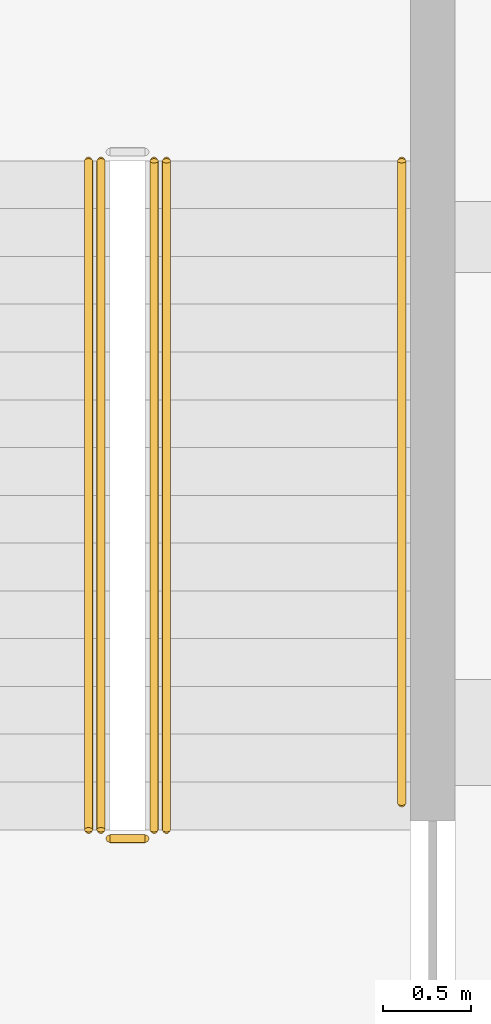
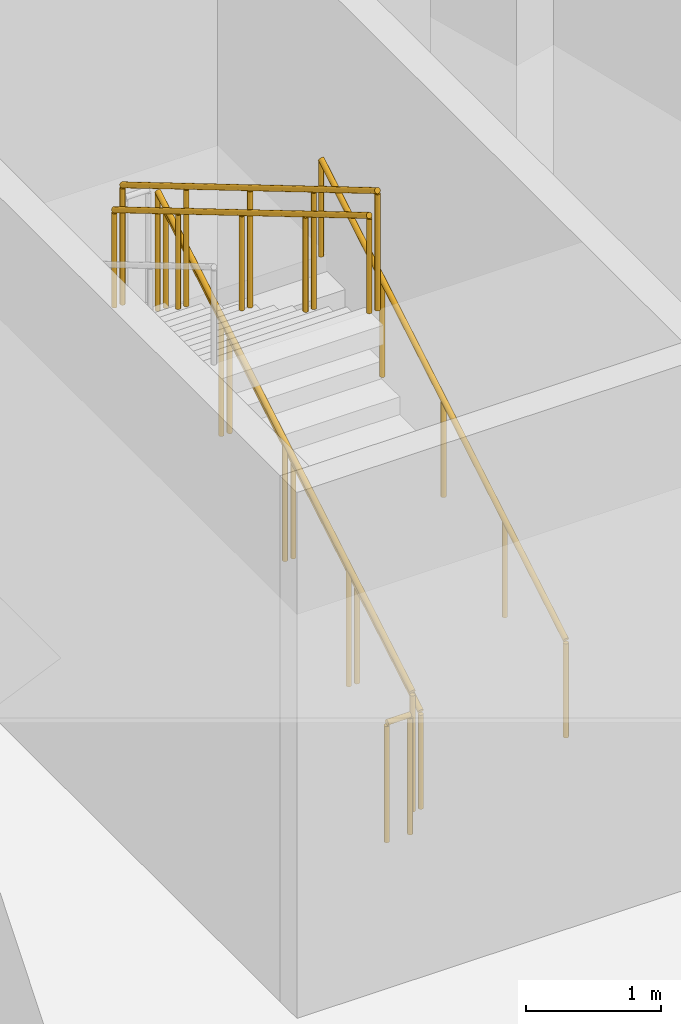
# One storey, part 92 of 103: 6 railings.
"""IFC4 building model written with IfcOpenShell, lengths in metres."""

from ifc_helpers import new_model, si_unit, direction, frame, origin, origin_2d, place, context, subcontext, project, spatial, circle, extrude, material, type_object, element, save


model = new_model("IFC4")

# Units and contexts
model_context = context("Model", 3, precision=1e-05, world=origin(), true_north=direction((0.0, 1.0)))
body_context = subcontext(model_context, "Body", "Model", "MODEL_VIEW")
ifc_project = project(units=[si_unit("LENGTHUNIT", "METRE"), si_unit("AREAUNIT", "SQUARE_METRE"), si_unit("VOLUMEUNIT", "CUBIC_METRE"), si_unit("PLANEANGLEUNIT", "RADIAN"), si_unit("MASSUNIT", "GRAM", prefix="KILO")], contexts=[model_context])

# Site, building, storey
site_placement = place(None, origin())
site = spatial("IfcSite", under=ifc_project, at=site_placement, CompositionType="ELEMENT")
building_placement = place(site_placement, origin())
building = spatial("IfcBuilding", under=site, at=building_placement, Name="Larchfold Concert Hall", CompositionType="ELEMENT")
storey_placement = place(building_placement, frame((0.0, 0.0, 9.60009765625)))
storey = spatial("IfcBuildingStorey", under=building, at=storey_placement, Name="L02", CompositionType="ELEMENT", Elevation=9.60009765625)

# Railings
ifc_material_1 = material(Name="Stainless steel balustrade", Category="steel")
railing_type_1 = type_object("IfcRailingType", Name="Stair guard 1100", PredefinedType="GUARDRAIL", material=ifc_material_1)
railing_1_placement = place(storey_placement, frame((62.050048828125, 92.449951171875, 0.159912109375)))
element("IfcRailing", 1, at=railing_1_placement, inside=storey, type_object=railing_type_1, Name="Guard GR0003", PredefinedType="GUARDRAIL", context=body_context, shape_type="SweptSolid", body=[
    extrude(circle(Radius=0.02392578125, at=origin_2d()), frame((0.0, 0.0, 1.076171875), z_axis=(0.0, 0.860294241299, 0.509797821089), x_axis=(-1.0, 0.0, 0.0)), (0.0, 0.0, 1.0), 4.393798828125),
    extrude(circle(Radius=0.02099609375, at=origin_2d()), origin(), (0.0, 0.0, 1.0), 1.052001953125),
    extrude(circle(Radius=0.02099609375, at=origin_2d()), frame((0.0, 0.945068359375, 0.56005859375)), (0.0, 0.0, 1.0), 1.052001953125),
    extrude(circle(Radius=0.02099609375, at=origin_2d()), frame((0.0, 1.89013671875, 1.1201171875)), (0.0, 0.0, 1.0), 1.052001953125),
    extrude(circle(Radius=0.02099609375, at=origin_2d()), frame((0.0, 2.8349609375, 1.679931640625)), (0.0, 0.0, 1.0), 1.052001953125),
    extrude(circle(Radius=0.02099609375, at=origin_2d()), frame((0.0, 3.780029296875, 2.239990234375)), (0.0, 0.0, 1.0), 1.052001953125),
])
railing_2_placement = place(storey_placement, frame((61.75, 96.22998046875, 2.559814453125)))
element("IfcRailing", 2, at=railing_2_placement, inside=storey, type_object=railing_type_1, Name="Guard GR0005", PredefinedType="GUARDRAIL", context=body_context, shape_type="SweptSolid", body=[
    extrude(circle(Radius=0.02392578125, at=origin_2d()), frame((0.0, 0.0, 1.076171875), z_axis=(0.0, -0.860294241299, 0.509797821089), x_axis=(1.0, 0.0, 0.0)), (0.0, 0.0, 1.0), 4.393798828125),
    extrude(circle(Radius=0.02099609375, at=origin_2d()), origin(), (0.0, 0.0, 1.0), 1.052001953125),
    extrude(circle(Radius=0.02099609375, at=origin_2d()), frame((0.0, -0.945068359375, 0.56005859375)), (0.0, 0.0, 1.0), 1.052001953125),
    extrude(circle(Radius=0.02099609375, at=origin_2d()), frame((0.0, -1.89013671875, 1.1201171875)), (0.0, 0.0, 1.0), 1.052001953125),
    extrude(circle(Radius=0.02099609375, at=origin_2d()), frame((0.0, -2.8349609375, 1.679931640625)), (0.0, 0.0, 1.0), 1.052001953125),
    extrude(circle(Radius=0.02099609375, at=origin_2d()), frame((0.0, -3.780029296875, 2.239990234375)), (0.0, 0.0, 1.0), 1.052001953125),
])
railing_3_placement = place(storey_placement, frame((62.0, 92.39990234375, 0.0)))
element("IfcRailing", 3, at=railing_3_placement, inside=storey, type_object=railing_type_1, Name="Guard GR0006", PredefinedType="GUARDRAIL", context=body_context, shape_type="SweptSolid", body=[
    extrude(circle(Radius=0.02392578125, at=origin_2d()), frame((0.0, 0.0, 1.076171875), z_axis=(-1.0, 0.0, 0.0), x_axis=(0.0, -1.0, 0.0)), (0.0, 0.0, 1.0), 0.199951171875),
    extrude(circle(Radius=0.02099609375, at=origin_2d()), origin(), (0.0, 0.0, 1.0), 1.052001953125),
    extrude(circle(Radius=0.02099609375, at=origin_2d()), frame((-0.199951171875, 0.0, 0.0)), (0.0, 0.0, 1.0), 1.052001953125),
])
ifc_material_2 = material(Name="Stainless steel handrail", Category="steel")
railing_type_2 = type_object("IfcRailingType", Name="Stair handrail 900", PredefinedType="HANDRAIL", material=ifc_material_2)
railing_4_placement = place(storey_placement, frame((63.449951171875, 92.60009765625, 0.248779296875)))
element("IfcRailing", 4, at=railing_4_placement, inside=storey, type_object=railing_type_2, Name="Handrail HR0001", PredefinedType="HANDRAIL", context=body_context, shape_type="SweptSolid", body=[
    extrude(circle(Radius=0.02392578125, at=origin_2d()), frame((0.0, 0.0, 0.8759765625), z_axis=(0.0, 0.860283074592, 0.509816664665), x_axis=(-1.0, 0.0, 0.0)), (0.0, 0.0, 1.0), 4.219482421875),
    extrude(circle(Radius=0.02099609375, at=origin_2d()), origin(), (0.0, 0.0, 1.0), 0.851806640625),
    extrude(circle(Radius=0.02099609375, at=origin_2d()), frame((0.0, 0.907470703125, 0.537841796875)), (0.0, 0.0, 1.0), 0.851806640625),
    extrude(circle(Radius=0.02099609375, at=origin_2d()), frame((0.0, 1.81494140625, 1.07568359375)), (0.0, 0.0, 1.0), 0.851806640625),
    extrude(circle(Radius=0.02099609375, at=origin_2d()), frame((0.0, 2.722412109375, 1.61328125)), (0.0, 0.0, 1.0), 0.851806640625),
    extrude(circle(Radius=0.02099609375, at=origin_2d()), frame((0.0, 3.6298828125, 2.151123046875)), (0.0, 0.0, 1.0), 0.851806640625),
])
railing_5_placement = place(storey_placement, frame((62.1201171875, 92.449951171875, 0.159912109375)))
element("IfcRailing", 5, at=railing_5_placement, inside=storey, type_object=railing_type_2, Name="Handrail HR0003", PredefinedType="HANDRAIL", context=body_context, shape_type="SweptSolid", body=[
    extrude(circle(Radius=0.02392578125, at=origin_2d()), frame((0.0, 0.0, 0.8759765625), z_axis=(0.0, 0.860294241299, 0.509797821089), x_axis=(-1.0, 0.0, 0.0)), (0.0, 0.0, 1.0), 4.393798828125),
    extrude(circle(Radius=0.02099609375, at=origin_2d()), origin(), (0.0, 0.0, 1.0), 0.851806640625),
    extrude(circle(Radius=0.02099609375, at=origin_2d()), frame((0.0, 0.945068359375, 0.56005859375)), (0.0, 0.0, 1.0), 0.851806640625),
    extrude(circle(Radius=0.02099609375, at=origin_2d()), frame((0.0, 1.89013671875, 1.1201171875)), (0.0, 0.0, 1.0), 0.851806640625),
    extrude(circle(Radius=0.02099609375, at=origin_2d()), frame((0.0, 2.8349609375, 1.679931640625)), (0.0, 0.0, 1.0), 0.851806640625),
    extrude(circle(Radius=0.02099609375, at=origin_2d()), frame((0.0, 3.780029296875, 2.239990234375)), (0.0, 0.0, 1.0), 0.851806640625),
])
railing_6_placement = place(storey_placement, frame((61.679931640625, 96.22998046875, 2.559814453125)))
element("IfcRailing", 6, at=railing_6_placement, inside=storey, type_object=railing_type_2, Name="Handrail HR0004", PredefinedType="HANDRAIL", context=body_context, shape_type="SweptSolid", body=[
    extrude(circle(Radius=0.02392578125, at=origin_2d()), frame((0.0, 0.0, 0.8759765625), z_axis=(0.0, -0.860294241299, 0.509797821089), x_axis=(1.0, 0.0, 0.0)), (0.0, 0.0, 1.0), 4.393798828125),
    extrude(circle(Radius=0.02099609375, at=origin_2d()), origin(), (0.0, 0.0, 1.0), 0.851806640625),
    extrude(circle(Radius=0.02099609375, at=origin_2d()), frame((0.0, -0.945068359375, 0.56005859375)), (0.0, 0.0, 1.0), 0.851806640625),
    extrude(circle(Radius=0.02099609375, at=origin_2d()), frame((0.0, -1.89013671875, 1.1201171875)), (0.0, 0.0, 1.0), 0.851806640625),
    extrude(circle(Radius=0.02099609375, at=origin_2d()), frame((0.0, -2.8349609375, 1.679931640625)), (0.0, 0.0, 1.0), 0.851806640625),
    extrude(circle(Radius=0.02099609375, at=origin_2d()), frame((0.0, -3.780029296875, 2.239990234375)), (0.0, 0.0, 1.0), 0.851806640625),
])

save(model, "model.ifc")
